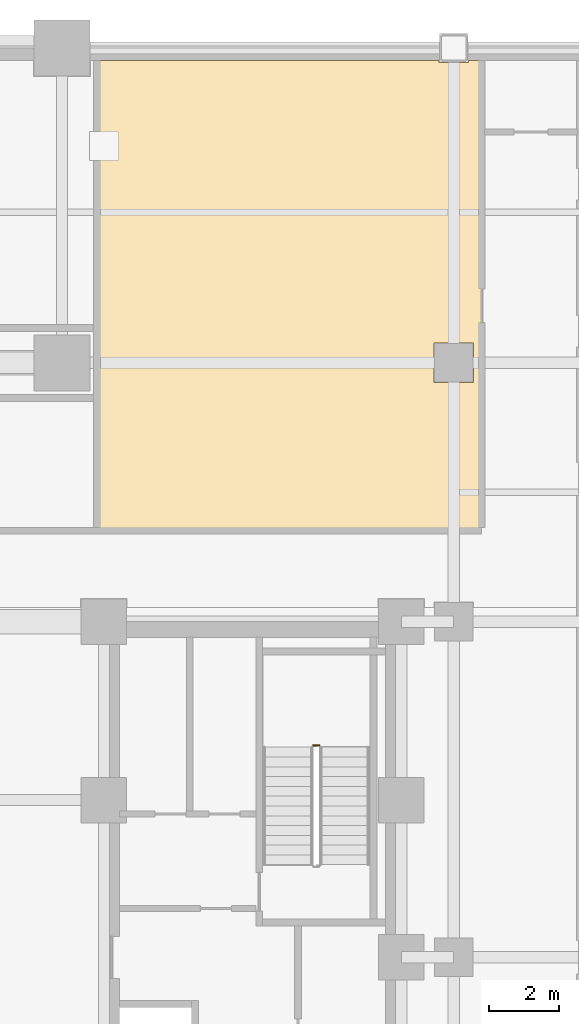
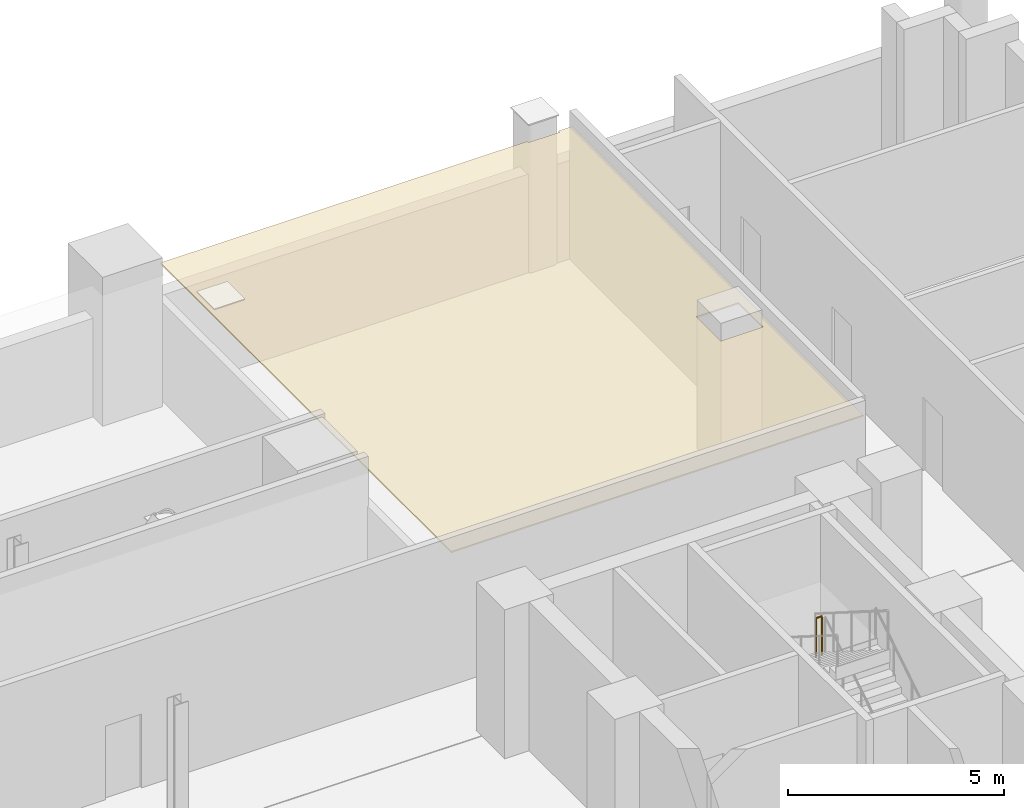
# One storey, part 17 of 17: 1 covering, 1 railing.
"""IFC4 building model written with IfcOpenShell, lengths in metres."""

import ifcopenshell
import ifcopenshell.guid

model = None  # the IFC model being written
_history = None  # IfcOwnerHistory: only IFC2X3 demands one
_inside = {}  # id of a spatial element -> (the spatial element, [elements in it])
_under = {}  # id of a project, library or spatial element -> (it, [spatial elements below it])
_declared = {}  # id of a project -> (the project, [libraries it declares])
_typed = {}  # id of a type object -> (the type object, [elements of that type])
_made_of = {}  # id of a material, layer set ... -> (it, [elements and type objects made of it])


def new_model(schema):
    """Start an empty IFC model of exactly this schema.

    Asked for "IFC4X3", IfcOpenShell would pick the latest addendum, in which some entities
    have other attributes; the version numbers below select the first issue.
    IFC2X3 requires an IfcOwnerHistory on every rooted entity: one is made here for all.
    """
    global model, _history
    if schema == "IFC4X3":
        model = ifcopenshell.file(schema_version=(4, 3, 0, 0))
    else:
        model = ifcopenshell.file(schema=schema)
    _inside.clear()
    _under.clear()
    _declared.clear()
    _typed.clear()
    _made_of.clear()
    _history = None
    if model.schema == "IFC2X3":
        org = make("IfcOrganization", Name="unknown")
        user = make(
            "IfcPersonAndOrganization",
            ThePerson=make("IfcPerson", FamilyName="unknown"),
            TheOrganization=org,
        )
        app = make(
            "IfcApplication",
            ApplicationDeveloper=org,
            Version="unknown",
            ApplicationFullName="unknown",
            ApplicationIdentifier="unknown",
        )
        _history = make(
            "IfcOwnerHistory",
            OwningUser=user,
            OwningApplication=app,
            ChangeAction="ADDED",
            CreationDate=0,
        )
    return model


def make(cls, **values):
    """One entity of the class cls with the attributes given. An attribute that is None is left unset."""
    return model.create_entity(
        cls, **{name: value for name, value in values.items() if value is not None}
    )


def rooted(cls, **values):
    """An entity with a GlobalId (a new one), such as an element, a storey or a relation."""
    return make(cls, GlobalId=ifcopenshell.guid.new(), OwnerHistory=_history, **values)


def si_unit(unit_type, name, prefix=None):
    """IfcSIUnit, for example si_unit("LENGTHUNIT", "METRE", prefix="MILLI")."""
    return make("IfcSIUnit", UnitType=unit_type, Prefix=prefix, Name=name)


def assignment(units):
    """IfcUnitAssignment: the units of a project."""
    return None if units is None else make("IfcUnitAssignment", Units=units)


def point(xyz):
    """IfcCartesianPoint."""
    return None if xyz is None else make("IfcCartesianPoint", Coordinates=xyz)


def direction(xyz):
    """IfcDirection."""
    return None if xyz is None else make("IfcDirection", DirectionRatios=xyz)


def frame(location, z_axis=None, x_axis=None):
    """IfcAxis2Placement3D, a coordinate frame: its origin and axes. An axis left out is left unset."""
    return make(
        "IfcAxis2Placement3D",
        Location=point(location),
        Axis=direction(z_axis),
        RefDirection=direction(x_axis),
    )


def frame_2d(location, x_axis=None):
    """IfcAxis2Placement2D, a coordinate frame in the plane: its origin and x axis."""
    return make(
        "IfcAxis2Placement2D", Location=point(location), RefDirection=direction(x_axis)
    )


def origin():
    """The frame at (0, 0, 0) with its axes left unset."""
    return frame((0.0, 0.0, 0.0))


def origin_2d():
    """The frame at (0, 0) in the plane with its x axis left unset."""
    return frame_2d((0.0, 0.0))


def place(relative_to, where):
    """IfcLocalPlacement: puts the frame where relative to a parent placement (None: the world)."""
    return make(
        "IfcLocalPlacement", PlacementRelTo=relative_to, RelativePlacement=where
    )


def context(
    kind, dimensions, precision=None, world=None, true_north=None, identifier=None
):
    """IfcGeometricRepresentationContext, for example the 3D "Model" context."""
    return make(
        "IfcGeometricRepresentationContext",
        ContextIdentifier=identifier,
        ContextType=kind,
        CoordinateSpaceDimension=dimensions,
        Precision=precision,
        WorldCoordinateSystem=world,
        TrueNorth=true_north,
    )


def subcontext(parent, identifier, kind, view, scale=None):
    """IfcGeometricRepresentationSubContext, for example "Body" below "Model"."""
    return make(
        "IfcGeometricRepresentationSubContext",
        ContextIdentifier=identifier,
        ContextType=kind,
        ParentContext=parent,
        TargetScale=scale,
        TargetView=view,
    )


def project(units=None, contexts=None):
    """IfcProject with its units and contexts."""
    return rooted(
        "IfcProject",
        Name="project",
        RepresentationContexts=contexts,
        UnitsInContext=assignment(units),
    )


def spatial(cls, under=None, at=None, **own):
    """A site, building, storey or space (cls), placed at a placement, below another one or the project."""
    s = rooted(cls, ObjectPlacement=at, **own)
    if under is not None:
        _under.setdefault(under.id(), (under, []))[1].append(s)
    return s


def polyline(points):
    """IfcPolyline through the points."""
    return make("IfcPolyline", Points=[point(p) for p in points])


def profile(cls, at=None, kind="AREA", **sizes):
    """A parametric profile (cls). Its sizes go by their IFC names, for example OverallWidth=200.0."""
    return make(cls, ProfileType=kind, Position=at, **sizes)


def circle(**sizes):
    """IfcCircleProfileDef."""
    return profile("IfcCircleProfileDef", **sizes)


def outline(outer, holes=None, kind="AREA"):
    """IfcArbitraryClosedProfileDef: a profile drawn as a closed curve; with holes, ...WithVoids."""
    if holes is None:
        return make("IfcArbitraryClosedProfileDef", ProfileType=kind, OuterCurve=outer)
    return make(
        "IfcArbitraryProfileDefWithVoids",
        ProfileType=kind,
        OuterCurve=outer,
        InnerCurves=holes,
    )


def extrude(swept, where, along, depth):
    """IfcExtrudedAreaSolid: the profile swept, set in the frame where, extruded along a direction by depth."""
    return make(
        "IfcExtrudedAreaSolid",
        SweptArea=swept,
        Position=where,
        ExtrudedDirection=direction(along),
        Depth=depth,
    )


def shape(context_of_items, identifier, shape_type, items):
    """IfcShapeRepresentation: the items that make up one representation, for example the "Body"."""
    return make(
        "IfcShapeRepresentation",
        ContextOfItems=context_of_items,
        RepresentationIdentifier=identifier,
        RepresentationType=shape_type,
        Items=items,
    )


def material(Name=None, Category=None):
    """IfcMaterial."""
    return make("IfcMaterial", Name=Name, Category=Category)


def layer(
    of_material, thickness, ventilated=None, Name=None, Category=None, Priority=None
):
    """IfcMaterialLayer: one layer of a wall or slab, of a material (None: an air gap)."""
    return make(
        "IfcMaterialLayer",
        Material=of_material,
        LayerThickness=thickness,
        IsVentilated=ventilated,
        Name=Name,
        Category=Category,
        Priority=Priority,
    )


def layer_set(layers, Name=None):
    """IfcMaterialLayerSet."""
    return make("IfcMaterialLayerSet", MaterialLayers=layers, LayerSetName=Name)


def made_of(thing, what):
    """Note that an element or type object is made of a material, layer set ...; save() writes the relation."""
    if what is not None:
        _made_of.setdefault(what.id(), (what, []))[1].append(thing)
    return thing


def type_object(cls, material=None, **own):
    """A type object (cls), such as IfcWallType, which elements share."""
    return made_of(rooted(cls, **own), material)


def element(
    cls,
    number,
    at=None,
    inside=None,
    cuts=None,
    type_object=None,
    material=None,
    context=None,
    identifier="Body",
    shape_type=None,
    held_by="IfcProductDefinitionShape",
    body=None,
    shapes=None,
    **own,
):
    """One element of the class cls, such as IfcWall. Its Tag is "e" and its number.

    at: its placement. inside: the storey or other place that contains it. cuts: it is an
    opening in that element (IfcRelVoidsElement). A single representation is given by context,
    identifier, shape_type and body (its items); several are given by shapes. held_by: the class
    of the entity that holds the representations. save() writes the other relations.
    """
    e = rooted(cls, Tag="e%d" % number, ObjectPlacement=at, **own)
    if body is not None:
        shapes = [shape(context, identifier, shape_type, body)]
    if shapes is not None:
        e.Representation = make(held_by, Representations=shapes)
    if inside is not None:
        _inside.setdefault(inside.id(), (inside, []))[1].append(e)
    if cuts is not None:
        rooted(
            "IfcRelVoidsElement", RelatingBuildingElement=cuts, RelatedOpeningElement=e
        )
    if type_object is not None:
        _typed.setdefault(type_object.id(), (type_object, []))[1].append(e)
    return made_of(e, material)


def aggregate(whole, parts):
    """IfcRelAggregates: a whole, such as a stair, and the parts it consists of."""
    return rooted("IfcRelAggregates", RelatingObject=whole, RelatedObjects=parts)


def save(model, path):
    """Write the relations noted so far, then the file.

    IfcRelAggregates (storeys below a building ...), IfcRelContainedInSpatialStructure (elements
    in a storey), IfcRelDefinesByType, IfcRelAssociatesMaterial and IfcRelDeclares: one each for
    every whole, place, type object, material and project.
    """
    for whole, parts in _under.values():
        aggregate(whole, parts)
    for where, things in _inside.values():
        rooted(
            "IfcRelContainedInSpatialStructure",
            RelatedElements=things,
            RelatingStructure=where,
        )
    for kind, things in _typed.values():
        rooted("IfcRelDefinesByType", RelatedObjects=things, RelatingType=kind)
    for what, things in _made_of.values():
        rooted("IfcRelAssociatesMaterial", RelatedObjects=things, RelatingMaterial=what)
    for by, libraries in _declared.values():
        rooted("IfcRelDeclares", RelatingContext=by, RelatedDefinitions=libraries)
    model.write(path)


model = new_model("IFC4")

# Units and contexts
model_context = context("Model", 3, precision=1e-05, world=origin(), true_north=direction((0.0, 1.0)))
body_context = subcontext(model_context, "Body", "Model", "MODEL_VIEW")
ifc_project = project(units=[si_unit("LENGTHUNIT", "METRE"), si_unit("AREAUNIT", "SQUARE_METRE"), si_unit("VOLUMEUNIT", "CUBIC_METRE"), si_unit("PLANEANGLEUNIT", "RADIAN"), si_unit("MASSUNIT", "GRAM", prefix="KILO")], contexts=[model_context])

# Site, building, storey
site_placement = place(None, origin())
site = spatial("IfcSite", under=ifc_project, at=site_placement, CompositionType="ELEMENT")
building_placement = place(site_placement, origin())
building = spatial("IfcBuilding", under=site, at=building_placement, Name="Nuvemarco Arch Tower", CompositionType="ELEMENT")
storey_placement = place(building_placement, frame((0.0, 0.0, 23.0)))
storey = spatial("IfcBuildingStorey", under=building, at=storey_placement, Name="L05", CompositionType="ELEMENT", Elevation=23.0)

# Covering
ifc_material_1 = material(Name="Mineral acoustic ceiling tile")
ifc_layer = layer(ifc_material_1, 0.0400390625, Name="COV-ACOUSTIC-CLG")
ifc_layer_set = layer_set([ifc_layer], Name="Mineral acoustic ceiling tile")
covering_type = type_object("IfcCoveringType", Name="COV-ACOUSTIC-CLG", PredefinedType="CEILING", material=ifc_layer_set)
covering_placement = place(storey_placement, frame((0.0, 0.0, 3.679931640625)))
element("IfcCovering", 1, at=covering_placement, inside=storey, type_object=covering_type, Name="L05 suspended acoustic ceiling 5", PredefinedType="CEILING", context=body_context, shape_type="SweptSolid", body=[
    extrude(outline(polyline([(18.5849609375, 25.639892578125), (18.5849609375, 25.5849609375), (19.4150390625, 25.5849609375), (19.4150390625, 25.639892578125), (19.800048828125, 25.639892578125), (19.800048828125, 23.60009765625), (19.800048828125, 12.199951171875), (8.800048828125, 12.199951171875), (8.800048828125, 16.0), (8.800048828125, 18.0), (8.800048828125, 25.639892578125), (18.5849609375, 25.639892578125)]), holes=[polyline([(19.56494140625, 16.43505859375), (19.56494140625, 17.56494140625), (18.43505859375, 17.56494140625), (18.43505859375, 16.43505859375), (19.56494140625, 16.43505859375)])]), origin(), (0.0, 0.0, 1.0), 0.0400390625),
])

# Railing
ifc_material_2 = material(Name="Painted balustrade steel S355", Category="steel")
railing_type = type_object("IfcRailingType", Name="RL-STAIR-GUARD", PredefinedType="GUARDRAIL", material=ifc_material_2)
railing_placement = place(storey_placement, frame((15.14990234375, 6.06005859375, 2.300048828125)))
element("IfcRailing", 2, at=railing_placement, inside=storey, type_object=railing_type, Name="L05 ST-2 stair guard 2", PredefinedType="GUARDRAIL", context=body_context, shape_type="SweptSolid", body=[
    extrude(circle(Radius=0.02392578125, at=origin_2d()), frame((0.0, 0.0, 1.09619140625), z_axis=(-1.0, 0.0, 0.0), x_axis=(0.0, -1.0, 0.0)), (0.0, 0.0, 1.0), 0.159912109375),
    extrude(circle(Radius=0.02099609375, at=origin_2d()), origin(), (0.0, 0.0, 1.0), 1.072021484375),
    extrude(circle(Radius=0.02099609375, at=origin_2d()), frame((-0.159912109375, 0.0, 0.0)), (0.0, 0.0, 1.0), 1.072021484375),
])

save(model, "model.ifc")
